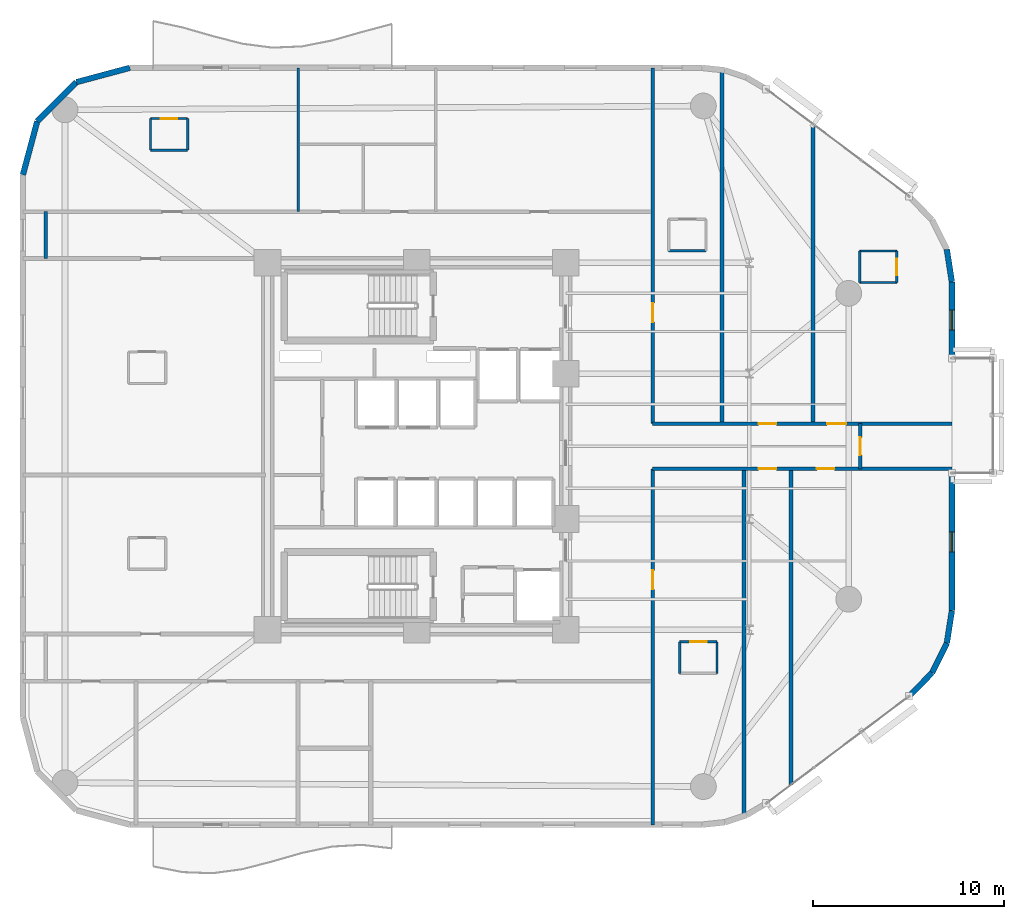
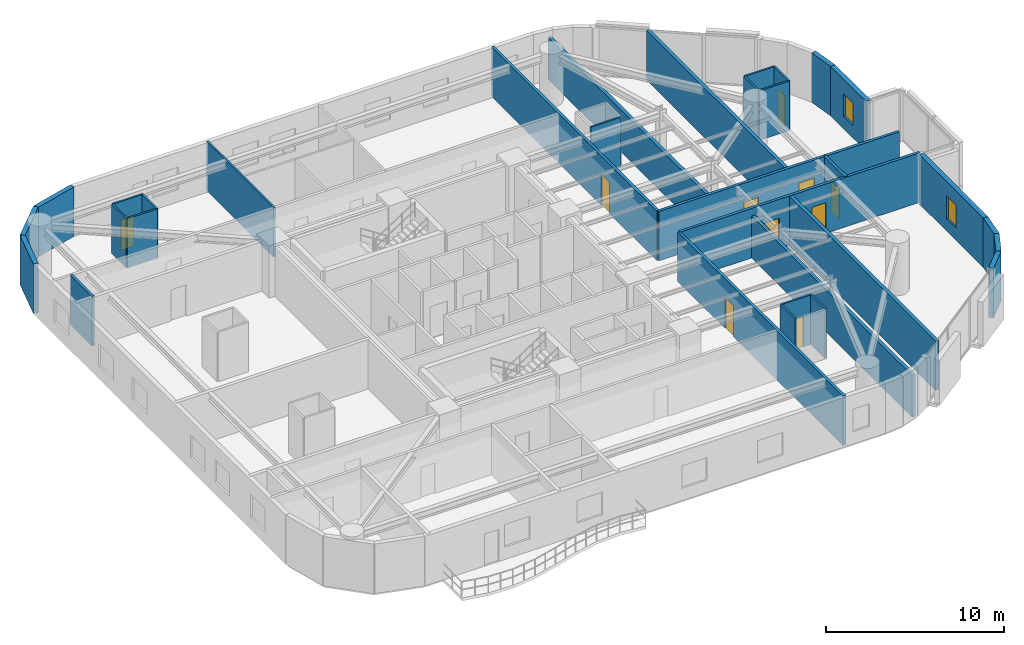
# One storey, part 10 of 14: 32 walls, 10 doors, 2 windows, 12 openings.
"""IFC4 building model written with IfcOpenShell, lengths in metres."""

from ifc_helpers import new_model, si_unit, direction, frame, frame_2d, origin, place, context, subcontext, project, spatial, rectangle, extrude, material, layer, layer_set, type_object, element, fill, save


model = new_model("IFC4")

# Units and contexts
model_context = context("Model", 3, precision=1e-05, world=origin(), true_north=direction((0.0, 1.0)))
body_context = subcontext(model_context, "Body", "Model", "MODEL_VIEW")
ifc_project = project(units=[si_unit("LENGTHUNIT", "METRE"), si_unit("AREAUNIT", "SQUARE_METRE"), si_unit("VOLUMEUNIT", "CUBIC_METRE"), si_unit("PLANEANGLEUNIT", "RADIAN"), si_unit("MASSUNIT", "GRAM", prefix="KILO")], contexts=[model_context])

# Site, building, storey
site_placement = place(None, origin())
site = spatial("IfcSite", under=ifc_project, at=site_placement, CompositionType="ELEMENT")
building_placement = place(site_placement, origin())
building = spatial("IfcBuilding", under=site, at=building_placement, Name="An Khanh Terracotta Commons", CompositionType="ELEMENT")
storey_placement = place(building_placement, frame((0.0, 0.0, 93.5)))
storey = spatial("IfcBuildingStorey", under=building, at=storey_placement, Name="L24", CompositionType="ELEMENT", Elevation=93.5)

# Wall, openings, doors
ifc_material_1 = material(Name="Fire-Rated Gypsum Board on Steel Stud", Category="steel")
ifc_layer_1 = layer(ifc_material_1, 0.179931640625, Name="Fire-Rated Gypsum Board on Steel Stud")
ifc_layer_set_1 = layer_set([ifc_layer_1], Name="Fire-Rated Gypsum Board on Steel Stud")
wall_type_1 = type_object("IfcWallType", Name="WALL-CORR-180", PredefinedType="PARTITIONING", material=ifc_layer_set_1)
wall_1_placement = place(storey_placement, frame((41.75, 22.820068359375, 0.0), z_axis=(0.0, 0.0, 1.0), x_axis=(1.0, 0.0, 0.0)))
wall_1 = element("IfcWall", 1, at=wall_1_placement, inside=storey, type_object=wall_type_1, Name="L24 Interior Partition IW-L24-E005", PredefinedType="PARTITIONING", context=body_context, shape_type="SweptSolid", body=[
    extrude(rectangle(XDim=15.64990234375, YDim=0.179931640625, at=frame_2d((7.824951171875, 0.0))), origin(), (0.0, 0.0, 1.0), 3.39990234375),
])
opening_1_placement = place(wall_1_placement, frame((5.54296875, 0.0, 0.0)))
opening_1 = element("IfcOpeningElement", 2, at=opening_1_placement, cuts=wall_1, Name="Opening D-RM", PredefinedType="OPENING", context=body_context, shape_type="SweptSolid", body=[
    extrude(rectangle(XDim=0.919921875, YDim=2.10009765625, at=frame_2d((0.4599609375, 1.050048828125))), frame((0.0, 0.099853515625, 0.0), z_axis=(0.0, -1.0, 0.0), x_axis=(1.0, 0.0, 0.0)), (0.0, 0.0, 1.0), 0.199951171875),
])
opening_2_placement = place(wall_1_placement, frame((8.5810546875, 0.0, 0.0)))
opening_2 = element("IfcOpeningElement", 3, at=opening_2_placement, cuts=wall_1, Name="Opening D-RM", PredefinedType="OPENING", context=body_context, shape_type="SweptSolid", body=[
    extrude(rectangle(XDim=0.919921875, YDim=2.10009765625, at=frame_2d((0.4599609375, 1.050048828125))), frame((0.0, 0.099853515625, 0.0), z_axis=(0.0, -1.0, 0.0), x_axis=(1.0, 0.0, 0.0)), (0.0, 0.0, 1.0), 0.199951171875),
])
ifc_material_2 = material(Name="Engineered Hardwood Timber Leaf", Category="wood")
door_type_1 = type_object("IfcDoorType", Name="DOOR-INT-920", OperationType="NOTDEFINED", PredefinedType="DOOR", material=ifc_material_2)
door_1_placement = place(opening_1_placement, origin())
door_1 = element("IfcDoor", 4, at=door_1_placement, inside=storey, type_object=door_type_1, Name="L24 SB2 Quiet Focus Office Door", OperationType="SINGLE_SWING_RIGHT", OverallHeight=2.10009765625, OverallWidth=0.919921875, PredefinedType="DOOR", context=body_context, shape_type="SweptSolid", body=[
    extrude(rectangle(XDim=0.919921875, YDim=2.10009765625, at=frame_2d((0.4599609375, 1.050048828125))), frame((0.0, 0.02490234375, 0.0), z_axis=(0.0, -1.0, 0.0), x_axis=(1.0, 0.0, 0.0)), (0.0, 0.0, 1.0), 0.050048828125),
])
fill(opening_1, door_1)
door_2_placement = place(opening_2_placement, origin())
door_2 = element("IfcDoor", 5, at=door_2_placement, inside=storey, type_object=door_type_1, Name="L24 SB3 Quiet Focus Office Door", OperationType="SINGLE_SWING_LEFT", OverallHeight=2.10009765625, OverallWidth=0.919921875, PredefinedType="DOOR", context=body_context, shape_type="SweptSolid", body=[
    extrude(rectangle(XDim=0.919921875, YDim=2.10009765625, at=frame_2d((0.4599609375, 1.050048828125))), frame((0.0, 0.02490234375, 0.0), z_axis=(0.0, -1.0, 0.0), x_axis=(1.0, 0.0, 0.0)), (0.0, 0.0, 1.0), 0.050048828125),
])
fill(opening_2, door_2)

wall_2_placement = place(storey_placement, frame((41.75, 25.179931640625, 0.0), z_axis=(0.0, 0.0, 1.0), x_axis=(1.0, 0.0, 0.0)))
wall_2 = element("IfcWall", 6, at=wall_2_placement, inside=storey, type_object=wall_type_1, Name="L24 Interior Partition IW-L24-E006", PredefinedType="PARTITIONING", context=body_context, shape_type="SweptSolid", body=[
    extrude(rectangle(XDim=15.64990234375, YDim=0.179931640625, at=frame_2d((7.824951171875, 0.0))), origin(), (0.0, 0.0, 1.0), 3.39990234375),
])
opening_3_placement = place(wall_2_placement, frame((5.5439453125, 0.0, 0.0)))
opening_3 = element("IfcOpeningElement", 7, at=opening_3_placement, cuts=wall_2, Name="Opening D-RM", PredefinedType="OPENING", context=body_context, shape_type="SweptSolid", body=[
    extrude(rectangle(XDim=0.919921875, YDim=2.10009765625, at=frame_2d((0.4599609375, 1.050048828125))), frame((0.0, 0.099853515625, 0.0), z_axis=(0.0, -1.0, 0.0), x_axis=(1.0, 0.0, 0.0)), (0.0, 0.0, 1.0), 0.199951171875),
])
opening_4_placement = place(wall_2_placement, frame((9.1201171875, 0.0, 0.0)))
opening_4 = element("IfcOpeningElement", 8, at=opening_4_placement, cuts=wall_2, Name="Opening D-UN", PredefinedType="OPENING", context=body_context, shape_type="SweptSolid", body=[
    extrude(rectangle(XDim=1.0, YDim=2.14990234375, at=frame_2d((0.5, 1.074951171875))), frame((0.0, 0.099853515625, 0.0), z_axis=(0.0, -1.0, 0.0), x_axis=(1.0, 0.0, 0.0)), (0.0, 0.0, 1.0), 0.199951171875),
])
door_3_placement = place(opening_3_placement, origin())
door_3 = element("IfcDoor", 9, at=door_3_placement, inside=storey, type_object=door_type_1, Name="L24 NB2 Quiet Focus Office Door", OperationType="SINGLE_SWING_LEFT", OverallHeight=2.10009765625, OverallWidth=0.919921875, PredefinedType="DOOR", context=body_context, shape_type="SweptSolid", body=[
    extrude(rectangle(XDim=0.919921875, YDim=2.10009765625, at=frame_2d((0.4599609375, 1.050048828125))), frame((0.0, 0.02490234375, 0.0), z_axis=(0.0, -1.0, 0.0), x_axis=(1.0, 0.0, 0.0)), (0.0, 0.0, 1.0), 0.050048828125),
])
fill(opening_3, door_3)
ifc_material_3 = material(Name="Solid-Core Hardwood Acoustic Fire Door", Category="wood")
door_type_2 = type_object("IfcDoorType", Name="DOOR-UNIT-1000", OperationType="NOTDEFINED", PredefinedType="DOOR", material=ifc_material_3)
door_4_placement = place(opening_4_placement, origin())
door_4 = element("IfcDoor", 10, at=door_4_placement, inside=storey, type_object=door_type_2, Name="L24 NB3 Kitchenette and Studio Apartment Door", OperationType="SINGLE_SWING_RIGHT", OverallHeight=2.14990234375, OverallWidth=1.0, PredefinedType="DOOR", context=body_context, shape_type="SweptSolid", body=[
    extrude(rectangle(XDim=1.0, YDim=2.14990234375, at=frame_2d((0.5, 1.074951171875))), frame((0.0, 0.02490234375, 0.0), z_axis=(0.0, -1.0, 0.0), x_axis=(1.0, 0.0, 0.0)), (0.0, 0.0, 1.0), 0.050048828125),
])
fill(opening_4, door_4)

# Wall
wall_3_placement = place(storey_placement, frame((10.0, 33.820068359375, 0.0), z_axis=(0.0, 0.0, 1.0), x_axis=(0.0, 1.0, 0.0)))
element("IfcWall", 11, at=wall_3_placement, inside=storey, type_object=wall_type_1, Name="L24 Interior Partition IW-L24-E011", PredefinedType="PARTITIONING", context=body_context, shape_type="SweptSolid", body=[
    extrude(rectangle(XDim=2.4599609375, YDim=0.179931640625, at=frame_2d((1.22998046875, 0.0))), origin(), (0.0, 0.0, 1.0), 3.39990234375),
])

# Wall, opening, door
wall_4_placement = place(storey_placement, frame((41.75, 4.199951171875, 0.0), z_axis=(0.0, 0.0, 1.0), x_axis=(0.0, 1.0, 0.0)))
wall_4 = element("IfcWall", 12, at=wall_4_placement, inside=storey, type_object=wall_type_1, Name="L24 Interior Partition IW-L24-E018", PredefinedType="PARTITIONING", context=body_context, shape_type="SweptSolid", body=[
    extrude(rectangle(XDim=18.6201171875, YDim=0.179931640625, at=frame_2d((9.31005859375, 0.0))), origin(), (0.0, 0.0, 1.0), 3.39990234375),
])
opening_5_placement = place(wall_4_placement, frame((12.31005859375, 0.0, 0.0)))
opening_5 = element("IfcOpeningElement", 13, at=opening_5_placement, cuts=wall_4, Name="Opening D-UN", PredefinedType="OPENING", context=body_context, shape_type="SweptSolid", body=[
    extrude(rectangle(XDim=1.0, YDim=2.14990234375, at=frame_2d((0.5, 1.074951171875))), frame((0.0, 0.099853515625, 0.0), z_axis=(0.0, -1.0, 0.0), x_axis=(1.0, 0.0, 0.0)), (0.0, 0.0, 1.0), 0.199951171875),
])
door_5_placement = place(opening_5_placement, origin())
door_5 = element("IfcDoor", 14, at=door_5_placement, inside=storey, type_object=door_type_2, Name="L24 SB1 Kitchenette and Studio Apartment Door", OperationType="SINGLE_SWING_LEFT", OverallHeight=2.14990234375, OverallWidth=1.0, PredefinedType="DOOR", context=body_context, shape_type="SweptSolid", body=[
    extrude(rectangle(XDim=1.0, YDim=2.14990234375, at=frame_2d((0.5, 1.074951171875))), frame((0.0, 0.02490234375, 0.0), z_axis=(0.0, -1.0, 0.0), x_axis=(1.0, 0.0, 0.0)), (0.0, 0.0, 1.0), 0.050048828125),
])
fill(opening_5, door_5)

wall_5_placement = place(storey_placement, frame((41.75, 25.179931640625, 0.0), z_axis=(0.0, 0.0, 1.0), x_axis=(0.0, 1.0, 0.0)))
wall_5 = element("IfcWall", 15, at=wall_5_placement, inside=storey, type_object=wall_type_1, Name="L24 Interior Partition IW-L24-E019", PredefinedType="PARTITIONING", context=body_context, shape_type="SweptSolid", body=[
    extrude(rectangle(XDim=18.6201171875, YDim=0.179931640625, at=frame_2d((9.31005859375, 0.0))), origin(), (0.0, 0.0, 1.0), 3.39990234375),
])
opening_6_placement = place(wall_5_placement, frame((5.31005859375, 0.0, 0.0)))
opening_6 = element("IfcOpeningElement", 16, at=opening_6_placement, cuts=wall_5, Name="Opening D-UN", PredefinedType="OPENING", context=body_context, shape_type="SweptSolid", body=[
    extrude(rectangle(XDim=1.0, YDim=2.14990234375, at=frame_2d((0.5, 1.074951171875))), frame((0.0, 0.099853515625, 0.0), z_axis=(0.0, -1.0, 0.0), x_axis=(1.0, 0.0, 0.0)), (0.0, 0.0, 1.0), 0.199951171875),
])
door_6_placement = place(opening_6_placement, origin())
door_6 = element("IfcDoor", 17, at=door_6_placement, inside=storey, type_object=door_type_2, Name="L24 NB1 Kitchenette and Studio Apartment Door", OperationType="SINGLE_SWING_RIGHT", OverallHeight=2.14990234375, OverallWidth=1.0, PredefinedType="DOOR", context=body_context, shape_type="SweptSolid", body=[
    extrude(rectangle(XDim=1.0, YDim=2.14990234375, at=frame_2d((0.5, 1.074951171875))), frame((0.0, 0.02490234375, 0.0), z_axis=(0.0, -1.0, 0.0), x_axis=(1.0, 0.0, 0.0)), (0.0, 0.0, 1.0), 0.050048828125),
])
fill(opening_6, door_6)

wall_6_placement = place(storey_placement, frame((52.60009765625, 22.820068359375, 0.0), z_axis=(0.0, 0.0, 1.0), x_axis=(0.0, 1.0, 0.0)))
wall_6 = element("IfcWall", 18, at=wall_6_placement, inside=storey, type_object=wall_type_1, Name="L24 Interior Partition IW-L24-E024", PredefinedType="PARTITIONING", context=body_context, shape_type="SweptSolid", body=[
    extrude(rectangle(XDim=2.35986328125, YDim=0.179931640625, at=frame_2d((1.179931640625, 0.0))), origin(), (0.0, 0.0, 1.0), 3.39990234375),
])
opening_7_placement = place(wall_6_placement, frame((0.719970703125, 0.0, 0.0)))
opening_7 = element("IfcOpeningElement", 19, at=opening_7_placement, cuts=wall_6, Name="Opening D-RM", PredefinedType="OPENING", context=body_context, shape_type="SweptSolid", body=[
    extrude(rectangle(XDim=0.919921875, YDim=2.10009765625, at=frame_2d((0.4599609375, 1.050048828125))), frame((0.0, 0.099853515625, 0.0), z_axis=(0.0, -1.0, 0.0), x_axis=(1.0, 0.0, 0.0)), (0.0, 0.0, 1.0), 0.199951171875),
])
door_7_placement = place(opening_7_placement, origin())
door_7 = element("IfcDoor", 20, at=door_7_placement, inside=storey, type_object=door_type_1, Name="L24 GHE Riverfront Study Office Door", OperationType="SINGLE_SWING_RIGHT", OverallHeight=2.10009765625, OverallWidth=0.919921875, PredefinedType="DOOR", context=body_context, shape_type="SweptSolid", body=[
    extrude(rectangle(XDim=0.919921875, YDim=2.10009765625, at=frame_2d((0.4599609375, 1.050048828125))), frame((0.0, 0.02490234375, 0.0), z_axis=(0.0, -1.0, 0.0), x_axis=(1.0, 0.0, 0.0)), (0.0, 0.0, 1.0), 0.050048828125),
])
fill(opening_7, door_7)

# Walls
ifc_material_4 = material(Name="Precast concrete C40/50", Category="concrete")
ifc_layer_2 = layer(ifc_material_4, 0.300048828125, Name="Precast concrete C40/50")
ifc_layer_set_2 = layer_set([ifc_layer_2], Name="Precast concrete C40/50")
wall_type_2 = type_object("IfcWallType", Name="WALL-EXT-300", PredefinedType="SOLIDWALL", material=ifc_layer_set_2)
for number, where, z_axis, x_axis, name in (
    (21, (55.159912109375, 10.919921875, 0.0), (0.0, 0.0, 1.0), (0.6983450845, 0.715761233201, 0.0), "L24 Insulated Terracotta Exterior Wall 9"),
    (22, (56.364013671875, 12.154052734375, 0.0), (0.0, 0.0, 1.0), (0.4472135955, 0.894427191, 0.0), "L24 Insulated Terracotta Exterior Wall 10"),
):
    element("IfcWall", number, at=place(storey_placement, frame(where, z_axis=z_axis, x_axis=x_axis)), inside=storey, type_object=wall_type_2, Name=name, PredefinedType="SOLIDWALL", context=body_context, shape_type="SweptSolid", body=[
        extrude(rectangle(XDim=1.72412109375, YDim=0.300048828125, at=frame_2d((0.862060546875, 0.0))), origin(), (0.0, 0.0, 1.0), 3.39990234375),
    ])
wall_7_placement = place(storey_placement, frame((57.135009765625, 13.696044921875, 0.0), z_axis=(0.0, 0.0, 1.0), x_axis=(0.153620989032, 0.988129845581, 0.0)))
element("IfcWall", 23, at=wall_7_placement, inside=storey, type_object=wall_type_2, Name="L24 Insulated Terracotta Exterior Wall 11", PredefinedType="SOLIDWALL", context=body_context, shape_type="SweptSolid", body=[
    extrude(rectangle(XDim=1.724365234375, YDim=0.300048828125, at=frame_2d((0.8623046875, 0.0))), origin(), (0.0, 0.0, 1.0), 3.39990234375),
])

# Wall, opening, window
wall_8_placement = place(storey_placement, frame((57.39990234375, 15.39990234375, 0.0), z_axis=(0.0, 0.0, 1.0), x_axis=(0.0, 1.0, 0.0)))
wall_8 = element("IfcWall", 24, at=wall_8_placement, inside=storey, type_object=wall_type_2, Name="L24 East Nose Wall South", PredefinedType="SOLIDWALL", context=body_context, shape_type="SweptSolid", body=[
    extrude(rectangle(XDim=7.2001953125, YDim=0.300048828125, at=frame_2d((3.60009765625, 0.0))), origin(), (0.0, 0.0, 1.0), 3.39990234375),
])
opening_8_placement = place(wall_8_placement, frame((3.074951171875, 0.0, 0.85009765625)))
opening_8 = element("IfcOpeningElement", 25, at=opening_8_placement, cuts=wall_8, Name="Opening W-06", PredefinedType="OPENING", context=body_context, shape_type="SweptSolid", body=[
    extrude(rectangle(XDim=1.050048828125, YDim=1.550048828125, at=frame_2d((0.52490234375, 0.77490234375))), frame((0.0, 0.159912109375, 0.0), z_axis=(0.0, -1.0, 0.0), x_axis=(1.0, 0.0, 0.0)), (0.0, 0.0, 1.0), 0.320068359375),
])
ifc_material_5 = material(Name="Thermally Broken Aluminium and Low-E Glass", Category="aluminium")
window_type = type_object("IfcWindowType", Name="WIN-COR-1050x1550", PartitioningType="SINGLE_PANEL", PredefinedType="WINDOW", material=ifc_material_5)
window_1_placement = place(opening_8_placement, origin())
window_1 = element("IfcWindow", 26, at=window_1_placement, inside=storey, type_object=window_type, Name="L24 East Nose South Casement Window", OverallHeight=1.550048828125, OverallWidth=1.050048828125, PartitioningType="SINGLE_PANEL", PredefinedType="WINDOW", context=body_context, shape_type="SweptSolid", body=[
    extrude(rectangle(XDim=1.050048828125, YDim=1.550048828125, at=frame_2d((0.52490234375, 0.77490234375))), frame((0.0, 0.030029296875, 0.0), z_axis=(0.0, -1.0, 0.0), x_axis=(1.0, 0.0, 0.0)), (0.0, 0.0, 1.0), 0.06005859375),
])
fill(opening_8, window_1)

wall_9_placement = place(storey_placement, frame((57.39990234375, 28.60009765625, 0.0), z_axis=(0.0, 0.0, 1.0), x_axis=(0.0, 1.0, 0.0)))
wall_9 = element("IfcWall", 27, at=wall_9_placement, inside=storey, type_object=wall_type_2, Name="L24 East Nose Wall North", PredefinedType="SOLIDWALL", context=body_context, shape_type="SweptSolid", body=[
    extrude(rectangle(XDim=4.0, YDim=0.300048828125, at=frame_2d((2.0, 0.0))), origin(), (0.0, 0.0, 1.0), 3.39990234375),
])
opening_9_placement = place(wall_9_placement, frame((1.47509765625, 0.0, 0.85009765625)))
opening_9 = element("IfcOpeningElement", 28, at=opening_9_placement, cuts=wall_9, Name="Opening W-06", PredefinedType="OPENING", context=body_context, shape_type="SweptSolid", body=[
    extrude(rectangle(XDim=1.050048828125, YDim=1.550048828125, at=frame_2d((0.52490234375, 0.77490234375))), frame((0.0, 0.159912109375, 0.0), z_axis=(0.0, -1.0, 0.0), x_axis=(1.0, 0.0, 0.0)), (0.0, 0.0, 1.0), 0.320068359375),
])
window_2_placement = place(opening_9_placement, origin())
window_2 = element("IfcWindow", 29, at=window_2_placement, inside=storey, type_object=window_type, Name="L24 East Nose North Casement Window", OverallHeight=1.550048828125, OverallWidth=1.050048828125, PartitioningType="SINGLE_PANEL", PredefinedType="WINDOW", context=body_context, shape_type="SweptSolid", body=[
    extrude(rectangle(XDim=1.050048828125, YDim=1.550048828125, at=frame_2d((0.52490234375, 0.77490234375))), frame((0.0, 0.030029296875, 0.0), z_axis=(0.0, -1.0, 0.0), x_axis=(1.0, 0.0, 0.0)), (0.0, 0.0, 1.0), 0.06005859375),
])
fill(opening_9, window_2)

# Walls
wall_10_placement = place(storey_placement, frame((57.39990234375, 32.60009765625, 0.0), z_axis=(0.0, 0.0, 1.0), x_axis=(-0.153620989032, 0.988129845581, 0.0)))
element("IfcWall", 30, at=wall_10_placement, inside=storey, type_object=wall_type_2, Name="L24 Insulated Terracotta Exterior Wall 13", PredefinedType="SOLIDWALL", context=body_context, shape_type="SweptSolid", body=[
    extrude(rectangle(XDim=1.724365234375, YDim=0.300048828125, at=frame_2d((0.8623046875, 0.0))), origin(), (0.0, 0.0, 1.0), 3.39990234375),
])
wall_11_placement = place(storey_placement, frame((14.39990234375, 43.800048828125, 0.0), z_axis=(0.0, 0.0, 1.0), x_axis=(-0.965943540406, -0.258752926066, 0.0)))
element("IfcWall", 31, at=wall_11_placement, inside=storey, type_object=wall_type_2, Name="L24 Insulated Terracotta Exterior Wall 21", PredefinedType="SOLIDWALL", context=body_context, shape_type="SweptSolid", body=[
    extrude(rectangle(XDim=2.8984375, YDim=0.300048828125, at=frame_2d((1.44921875, 0.0))), origin(), (0.0, 0.0, 1.0), 3.39990234375),
])
wall_12_placement = place(storey_placement, frame((11.60009765625, 43.050048828125, 0.0), z_axis=(0.0, 0.0, 1.0), x_axis=(-0.707106781187, -0.707106781187, 0.0)))
element("IfcWall", 32, at=wall_12_placement, inside=storey, type_object=wall_type_2, Name="L24 Insulated Terracotta Exterior Wall 22", PredefinedType="SOLIDWALL", context=body_context, shape_type="SweptSolid", body=[
    extrude(rectangle(XDim=2.899169921875, YDim=0.300048828125, at=frame_2d((1.44970703125, 0.0))), origin(), (0.0, 0.0, 1.0), 3.39990234375),
])
wall_13_placement = place(storey_placement, frame((9.550048828125, 41.0, 0.0), z_axis=(0.0, 0.0, 1.0), x_axis=(-0.258731875344, -0.96594917914, 0.0)))
element("IfcWall", 33, at=wall_13_placement, inside=storey, type_object=wall_type_2, Name="L24 Insulated Terracotta Exterior Wall 23", PredefinedType="SOLIDWALL", context=body_context, shape_type="SweptSolid", body=[
    extrude(rectangle(XDim=2.898681640625, YDim=0.300048828125, at=frame_2d((1.44921875, 0.0))), origin(), (0.0, 0.0, 1.0), 3.39990234375),
])
ifc_material_6 = material(Name="Acoustic Double-Stud Gypsum and Mineral Wool")
ifc_layer_3 = layer(ifc_material_6, 0.219970703125, Name="Acoustic Double-Stud Gypsum and Mineral Wool")
ifc_layer_set_3 = layer_set([ifc_layer_3], Name="Acoustic Double-Stud Gypsum and Mineral Wool")
wall_type_3 = type_object("IfcWallType", Name="WALL-PARTY-220", PredefinedType="PARTITIONING", material=ifc_layer_set_3)
wall_14_placement = place(storey_placement, frame((45.366943359375, 25.179931640625, 0.0), z_axis=(0.0, 0.0, 1.0), x_axis=(0.0, 1.0, 0.0)))
element("IfcWall", 34, at=wall_14_placement, inside=storey, type_object=wall_type_3, Name="L24 Interior Partition IW-L24-E020", PredefinedType="PARTITIONING", context=body_context, shape_type="SweptSolid", body=[
    extrude(rectangle(XDim=18.509033203125, YDim=0.219970703125, at=frame_2d((9.25439453125, 0.0))), origin(), (0.0, 0.0, 1.0), 2.882080078125),
])
wall_15_placement = place(storey_placement, frame((46.52392578125, 4.660888671875, 0.0), z_axis=(0.0, 0.0, 1.0), x_axis=(0.0, 1.0, 0.0)))
element("IfcWall", 35, at=wall_15_placement, inside=storey, type_object=wall_type_3, Name="L24 Interior Partition IW-L24-E021", PredefinedType="PARTITIONING", context=body_context, shape_type="SweptSolid", body=[
    extrude(rectangle(XDim=18.1591796875, YDim=0.219970703125, at=frame_2d((9.07958984375, 0.0))), origin(), (0.0, 0.0, 1.0), 2.882080078125),
])
wall_16_placement = place(storey_placement, frame((48.98291015625, 6.287109375, 0.0), z_axis=(0.0, 0.0, 1.0), x_axis=(0.0, 1.0, 0.0)))
element("IfcWall", 36, at=wall_16_placement, inside=storey, type_object=wall_type_3, Name="L24 Interior Partition IW-L24-E022", PredefinedType="PARTITIONING", context=body_context, shape_type="SweptSolid", body=[
    extrude(rectangle(XDim=16.532958984375, YDim=0.219970703125, at=frame_2d((8.2666015625, 0.0))), origin(), (0.0, 0.0, 1.0), 3.39990234375),
])
wall_17_placement = place(storey_placement, frame((50.14111328125, 25.179931640625, 0.0), z_axis=(0.0, 0.0, 1.0), x_axis=(0.0, 1.0, 0.0)))
element("IfcWall", 37, at=wall_17_placement, inside=storey, type_object=wall_type_3, Name="L24 Interior Partition IW-L24-E023", PredefinedType="PARTITIONING", context=body_context, shape_type="SweptSolid", body=[
    extrude(rectangle(XDim=15.6640625, YDim=0.219970703125, at=frame_2d((7.83203125, 0.0))), origin(), (0.0, 0.0, 1.0), 3.39990234375),
])
ifc_material_7 = material(Name="Moisture-Resistant Cement Board Partition")
ifc_layer_4 = layer(ifc_material_7, 0.1201171875, Name="Moisture-Resistant Cement Board Partition")
ifc_layer_set_4 = layer_set([ifc_layer_4], Name="Moisture-Resistant Cement Board Partition")
wall_type_4 = type_object("IfcWallType", Name="WALL-WET-120", PredefinedType="PARTITIONING", material=ifc_layer_set_4)
for number, where, z_axis, x_axis, name in (
    (38, (44.532958984375, 34.22509765625, 0.0), (0.0, 0.0, 1.0), (-1.0, 0.0, 0.0), "L24 Interior Partition IW-L24-NB1-BS"),
    (39, (52.572021484375, 34.215087890625, 0.0), (0.0, 0.0, 1.0), (1.0, 0.0, 0.0), "L24 Interior Partition IW-L24-NB3-BN"),
    (40, (54.52197265625, 32.56494140625, 0.0), (0.0, 0.0, 1.0), (-1.0, 0.0, 0.0), "L24 Interior Partition IW-L24-NB3-BS"),
):
    element("IfcWall", number, at=place(storey_placement, frame(where, z_axis=z_axis, x_axis=x_axis)), inside=storey, type_object=wall_type_4, Name=name, PredefinedType="PARTITIONING", context=body_context, shape_type="SweptSolid", body=[
        extrude(rectangle(XDim=1.949951171875, YDim=0.1201171875, at=frame_2d((0.97509765625, 0.0))), origin(), (0.0, 0.0, 1.0), 3.39990234375),
    ])
wall_18_placement = place(storey_placement, frame((52.572021484375, 34.215087890625, 0.0), z_axis=(0.0, 0.0, 1.0), x_axis=(0.0, -1.0, 0.0)))
element("IfcWall", 41, at=wall_18_placement, inside=storey, type_object=wall_type_4, Name="L24 Interior Partition IW-L24-NB3-BW", PredefinedType="PARTITIONING", context=body_context, shape_type="SweptSolid", body=[
    extrude(rectangle(XDim=1.650146484375, YDim=0.1201171875, at=frame_2d((0.8251953125, 0.0))), origin(), (0.0, 0.0, 1.0), 3.39990234375),
])

# Wall, opening, door
wall_19_placement = place(storey_placement, frame((54.52197265625, 32.56494140625, 0.0), z_axis=(0.0, 0.0, 1.0), x_axis=(0.0, 1.0, 0.0)))
wall_19 = element("IfcWall", 42, at=wall_19_placement, inside=storey, type_object=wall_type_4, Name="L24 Interior Partition IW-L24-NB3-BE", PredefinedType="PARTITIONING", context=body_context, shape_type="SweptSolid", body=[
    extrude(rectangle(XDim=1.650146484375, YDim=0.1201171875, at=frame_2d((0.8251953125, 0.0))), origin(), (0.0, 0.0, 1.0), 3.39990234375),
])
opening_10_placement = place(wall_19_placement, frame((0.39501953125, 0.0, 0.0)))
opening_10 = element("IfcOpeningElement", 43, at=opening_10_placement, cuts=wall_19, Name="Opening D-ENS", PredefinedType="OPENING", context=body_context, shape_type="SweptSolid", body=[
    extrude(rectangle(XDim=0.860107421875, YDim=2.10009765625, at=frame_2d((0.43017578125, 1.050048828125))), frame((0.0, 0.070068359375, 0.0), z_axis=(0.0, -1.0, 0.0), x_axis=(1.0, 0.0, 0.0)), (0.0, 0.0, 1.0), 0.14013671875),
])
ifc_material_8 = material(Name="Moisture-Resistant Hardwood Timber Leaf", Category="wood")
door_type_3 = type_object("IfcDoorType", Name="DOOR-BATH-860", OperationType="NOTDEFINED", PredefinedType="DOOR", material=ifc_material_8)
door_8_placement = place(opening_10_placement, origin())
door_8 = element("IfcDoor", 44, at=door_8_placement, inside=storey, type_object=door_type_3, Name="L24 Studio NB3 En-suite Door", OperationType="SINGLE_SWING_RIGHT", OverallHeight=2.10009765625, OverallWidth=0.860107421875, PredefinedType="DOOR", context=body_context, shape_type="SweptSolid", body=[
    extrude(rectangle(XDim=0.860107421875, YDim=2.10009765625, at=frame_2d((0.43017578125, 1.050048828125))), frame((0.0, 0.02490234375, 0.0), z_axis=(0.0, -1.0, 0.0), x_axis=(1.0, 0.0, 0.0)), (0.0, 0.0, 1.0), 0.050048828125),
])
fill(opening_10, door_8)

wall_20_placement = place(storey_placement, frame((43.162109375, 13.77490234375, 0.0), z_axis=(0.0, 0.0, 1.0), x_axis=(1.0, 0.0, 0.0)))
wall_20 = element("IfcWall", 45, at=wall_20_placement, inside=storey, type_object=wall_type_4, Name="L24 Interior Partition IW-L24-SB1-BN", PredefinedType="PARTITIONING", context=body_context, shape_type="SweptSolid", body=[
    extrude(rectangle(XDim=1.949951171875, YDim=0.1201171875, at=frame_2d((0.97509765625, 0.0))), origin(), (0.0, 0.0, 1.0), 3.39990234375),
])
opening_11_placement = place(wall_20_placement, frame((0.544921875, 0.0, 0.0)))
opening_11 = element("IfcOpeningElement", 46, at=opening_11_placement, cuts=wall_20, Name="Opening D-ENS", PredefinedType="OPENING", context=body_context, shape_type="SweptSolid", body=[
    extrude(rectangle(XDim=0.860107421875, YDim=2.10009765625, at=frame_2d((0.43017578125, 1.050048828125))), frame((0.0, 0.070068359375, 0.0), z_axis=(0.0, -1.0, 0.0), x_axis=(1.0, 0.0, 0.0)), (0.0, 0.0, 1.0), 0.14013671875),
])
door_9_placement = place(opening_11_placement, origin())
door_9 = element("IfcDoor", 47, at=door_9_placement, inside=storey, type_object=door_type_3, Name="L24 Studio SB1 En-suite Door", OperationType="SINGLE_SWING_LEFT", OverallHeight=2.10009765625, OverallWidth=0.860107421875, PredefinedType="DOOR", context=body_context, shape_type="SweptSolid", body=[
    extrude(rectangle(XDim=0.860107421875, YDim=2.10009765625, at=frame_2d((0.43017578125, 1.050048828125))), frame((0.0, 0.02490234375, 0.0), z_axis=(0.0, -1.0, 0.0), x_axis=(1.0, 0.0, 0.0)), (0.0, 0.0, 1.0), 0.050048828125),
])
fill(opening_11, door_9)

# Walls
for number, where, z_axis, x_axis, name in (
    (48, (43.162109375, 13.77490234375, 0.0), (0.0, 0.0, 1.0), (0.0, -1.0, 0.0), "L24 Interior Partition IW-L24-SB1-BW"),
    (49, (45.112060546875, 12.125, 0.0), (0.0, 0.0, 1.0), (0.0, 1.0, 0.0), "L24 Interior Partition IW-L24-SB1-BE"),
):
    element("IfcWall", number, at=place(storey_placement, frame(where, z_axis=z_axis, x_axis=x_axis)), inside=storey, type_object=wall_type_4, Name=name, PredefinedType="PARTITIONING", context=body_context, shape_type="SweptSolid", body=[
        extrude(rectangle(XDim=1.64990234375, YDim=0.1201171875, at=frame_2d((0.824951171875, 0.0))), origin(), (0.0, 0.0, 1.0), 3.39990234375),
    ])

# Wall, opening, door
wall_21_placement = place(storey_placement, frame((15.47412109375, 41.14208984375, 0.0), z_axis=(0.0, 0.0, 1.0), x_axis=(1.0, 0.0, 0.0)))
wall_21 = element("IfcWall", 50, at=wall_21_placement, inside=storey, type_object=wall_type_4, Name="L24 Interior Partition IW-L24-NW1-BN", PredefinedType="PARTITIONING", context=body_context, shape_type="SweptSolid", body=[
    extrude(rectangle(XDim=1.949951171875, YDim=0.1201171875, at=frame_2d((0.97509765625, 0.0))), origin(), (0.0, 0.0, 1.0), 3.39990234375),
])
opening_12_placement = place(wall_21_placement, frame((0.544921875, 0.0, 0.0)))
opening_12 = element("IfcOpeningElement", 51, at=opening_12_placement, cuts=wall_21, Name="Opening D-ENS", PredefinedType="OPENING", context=body_context, shape_type="SweptSolid", body=[
    extrude(rectangle(XDim=0.860107421875, YDim=2.10009765625, at=frame_2d((0.43017578125, 1.050048828125))), frame((0.0, 0.070068359375, 0.0), z_axis=(0.0, -1.0, 0.0), x_axis=(1.0, 0.0, 0.0)), (0.0, 0.0, 1.0), 0.14013671875),
])
door_10_placement = place(opening_12_placement, origin())
door_10 = element("IfcDoor", 52, at=door_10_placement, inside=storey, type_object=door_type_3, Name="L24 Studio NW1 En-suite Door", OperationType="SINGLE_SWING_RIGHT", OverallHeight=2.10009765625, OverallWidth=0.860107421875, PredefinedType="DOOR", context=body_context, shape_type="SweptSolid", body=[
    extrude(rectangle(XDim=0.860107421875, YDim=2.10009765625, at=frame_2d((0.43017578125, 1.050048828125))), frame((0.0, 0.02490234375, 0.0), z_axis=(0.0, -1.0, 0.0), x_axis=(1.0, 0.0, 0.0)), (0.0, 0.0, 1.0), 0.050048828125),
])
fill(opening_12, door_10)

# Walls
wall_22_placement = place(storey_placement, frame((17.424072265625, 39.491943359375, 0.0), z_axis=(0.0, 0.0, 1.0), x_axis=(-1.0, 0.0, 0.0)))
element("IfcWall", 53, at=wall_22_placement, inside=storey, type_object=wall_type_4, Name="L24 Interior Partition IW-L24-NW1-BS", PredefinedType="PARTITIONING", context=body_context, shape_type="SweptSolid", body=[
    extrude(rectangle(XDim=1.949951171875, YDim=0.1201171875, at=frame_2d((0.97509765625, 0.0))), origin(), (0.0, 0.0, 1.0), 3.39990234375),
])
for number, where, z_axis, x_axis, name in (
    (54, (15.47412109375, 41.14208984375, 0.0), (0.0, 0.0, 1.0), (0.0, -1.0, 0.0), "L24 Interior Partition IW-L24-NW1-BW"),
    (55, (17.424072265625, 39.491943359375, 0.0), (0.0, 0.0, 1.0), (0.0, 1.0, 0.0), "L24 Interior Partition IW-L24-NW1-BE"),
):
    element("IfcWall", number, at=place(storey_placement, frame(where, z_axis=z_axis, x_axis=x_axis)), inside=storey, type_object=wall_type_4, Name=name, PredefinedType="PARTITIONING", context=body_context, shape_type="SweptSolid", body=[
        extrude(rectangle(XDim=1.650146484375, YDim=0.1201171875, at=frame_2d((0.8251953125, 0.0))), origin(), (0.0, 0.0, 1.0), 3.39990234375),
    ])
wall_23_placement = place(storey_placement, frame((23.199951171875, 36.280029296875, 0.0), z_axis=(0.0, 0.0, 1.0), x_axis=(0.0, 1.0, 0.0)))
element("IfcWall", 56, at=wall_23_placement, inside=storey, type_object=wall_type_4, Name="L24 Interior Partition IW-L24-E014", PredefinedType="PARTITIONING", context=body_context, shape_type="SweptSolid", body=[
    extrude(rectangle(XDim=7.52001953125, YDim=0.1201171875, at=frame_2d((3.760009765625, 0.0))), origin(), (0.0, 0.0, 1.0), 3.39990234375),
])

save(model, "model.ifc")
